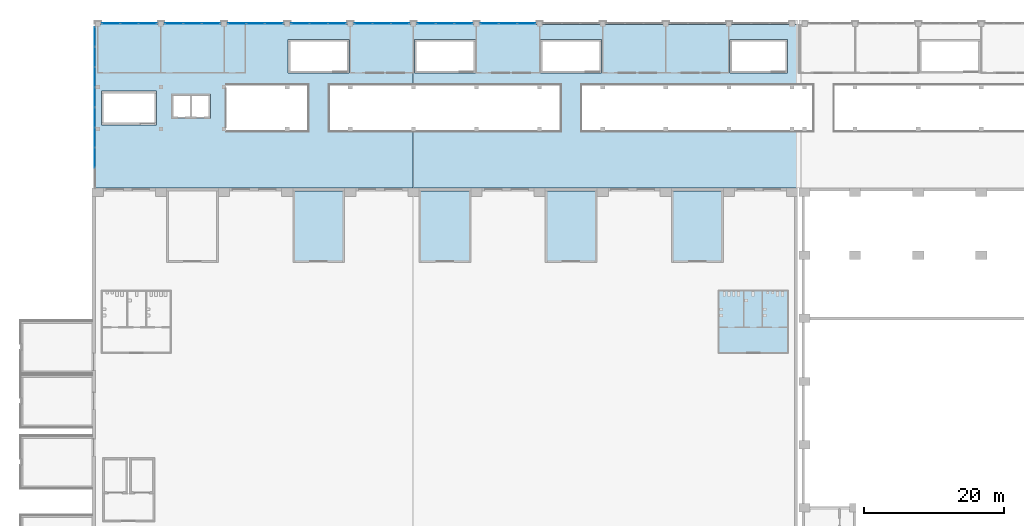
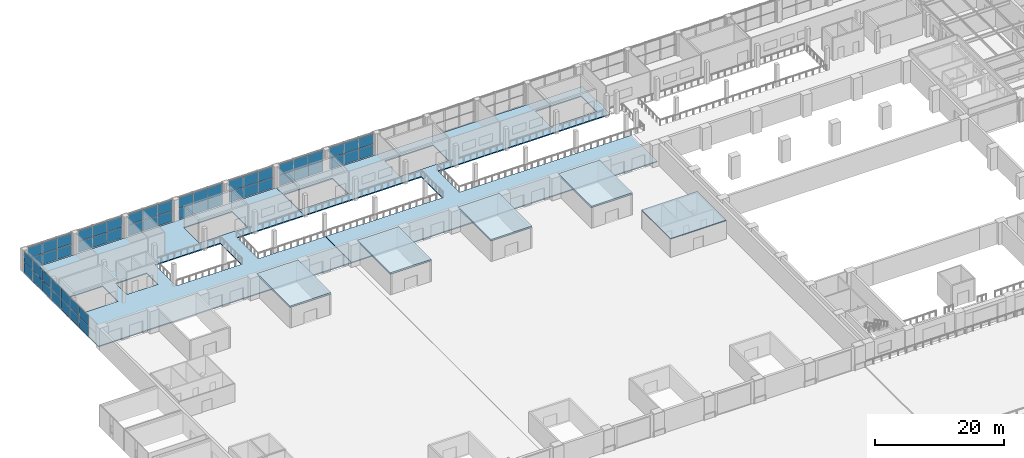
# One storey, part 11 of 39: 56 plates, 7 slabs, 8 elements without a shape of their own.
"""IFC4 building model written with IfcOpenShell, lengths in metres."""

from ifc_helpers import new_model, si_unit, direction, frame, origin, origin_2d, place, context, subcontext, project, spatial, polyline, rectangle, outline, extrude, material, layer, layer_set, type_object, element, aggregate, save


model = new_model("IFC4")

# Units and contexts
model_context = context("Model", 3, precision=1e-05, world=origin(), true_north=direction((0.0, 1.0)))
body_context = subcontext(model_context, "Body", "Model", "MODEL_VIEW")
ifc_project = project(units=[si_unit("LENGTHUNIT", "METRE"), si_unit("AREAUNIT", "SQUARE_METRE"), si_unit("VOLUMEUNIT", "CUBIC_METRE"), si_unit("PLANEANGLEUNIT", "RADIAN"), si_unit("MASSUNIT", "GRAM", prefix="KILO")], contexts=[model_context])

# Site, building, storey
site_placement = place(None, origin())
site = spatial("IfcSite", under=ifc_project, at=site_placement, CompositionType="ELEMENT")
building_placement = place(site_placement, origin())
building = spatial("IfcBuilding", under=site, at=building_placement, Name="Aravalli Gate Trade Fair Centre", CompositionType="ELEMENT")
storey_placement = place(building_placement, frame((0.0, 0.0, 15.0)))
storey = spatial("IfcBuildingStorey", under=building, at=storey_placement, Name="L03", CompositionType="ELEMENT", Elevation=15.0)

# Slabs
ifc_material_1 = material(Name="Concrete M40", Category="concrete")
ifc_layer_1 = layer(ifc_material_1, 0.199951171875)
ifc_layer_set_1 = layer_set([ifc_layer_1], Name="Concrete M40")
slab_type_1 = type_object("IfcSlabType", Name="Concourse gallery slab 200", PredefinedType="FLOOR", material=ifc_layer_set_1)
slab_1_placement = place(storey_placement, frame((0.0, 0.0, -0.199951171875)))
element("IfcSlab", 1, at=slab_1_placement, inside=storey, type_object=slab_type_1, Name="Concourse gallery slab L03 1", PredefinedType="FLOOR", context=body_context, shape_type="SweptSolid", body=[
    extrude(outline(polyline([(50.97998046875, 132.919921875), (5.699951171875, 132.919921875), (5.699951171875, 109.60009765625), (50.97998046875, 109.60009765625), (50.97998046875, 117.699951171875), (39.0, 117.699951171875), (39.0, 124.300048828125), (50.97998046875, 124.300048828125), (50.97998046875, 132.919921875)]), holes=[polyline([(24.300048828125, 124.300048828125), (36.0, 124.300048828125), (36.0, 117.699951171875), (24.300048828125, 117.699951171875), (24.300048828125, 124.300048828125)]), polyline([(6.5, 118.60009765625), (6.5, 123.39990234375), (14.39990234375, 123.39990234375), (14.39990234375, 118.60009765625), (6.5, 118.60009765625)]), polyline([(16.5, 119.5), (16.5, 123.0), (22.050048828125, 123.0), (22.050048828125, 119.5), (16.5, 119.5)]), polyline([(33.14990234375, 126.0), (33.14990234375, 130.800048828125), (41.85009765625, 130.800048828125), (41.85009765625, 126.0), (33.14990234375, 126.0)])]), origin(), (0.0, 0.0, 1.0), 0.199951171875),
])
slab_2_placement = place(storey_placement, frame((0.0, 0.0, -0.199951171875)))
element("IfcSlab", 2, at=slab_2_placement, inside=storey, type_object=slab_type_1, Name="Concourse gallery slab L03 2", PredefinedType="FLOOR", context=body_context, shape_type="SweptSolid", body=[
    extrude(outline(polyline([(105.800048828125, 132.919921875), (51.02001953125, 132.919921875), (51.02001953125, 124.300048828125), (72.0, 124.300048828125), (72.0, 117.699951171875), (51.02001953125, 117.699951171875), (51.02001953125, 109.60009765625), (105.800048828125, 109.60009765625), (105.800048828125, 117.699951171875), (75.0, 117.699951171875), (75.0, 124.300048828125), (105.800048828125, 124.300048828125), (105.800048828125, 132.919921875)]), holes=[polyline([(51.14990234375, 126.0), (51.14990234375, 130.800048828125), (59.85009765625, 130.800048828125), (59.85009765625, 126.0), (51.14990234375, 126.0)]), polyline([(69.14990234375, 126.0), (69.14990234375, 130.800048828125), (77.85009765625, 130.800048828125), (77.85009765625, 126.0), (69.14990234375, 126.0)]), polyline([(96.14990234375, 130.800048828125), (104.35009765625, 130.800048828125), (104.35009765625, 126.0), (96.14990234375, 126.0), (96.14990234375, 130.800048828125)])]), origin(), (0.0, 0.0, 1.0), 0.199951171875),
])

# Curtain wall, plates
ifc_material_2 = material(Name="Aluminium and glass", Category="aluminium")
curtain_wall_type = type_object("IfcCurtainWallType", Name="Curtain wall 3000 module, tall", PredefinedType="NOTDEFINED", material=ifc_material_2)
curtain_wall_1_placement = place(storey_placement, origin())
curtain_wall_1 = element("IfcCurtainWall", 3, at=curtain_wall_1_placement, inside=storey, type_object=curtain_wall_type, Name="Curtain wall north bay 1 L03", PredefinedType="NOTDEFINED")
ifc_material_3 = material(Name="Glass, double glazed", Category="glass")
ifc_layer_2 = layer(ifc_material_3, 0.028076171875)
ifc_layer_set_2 = layer_set([ifc_layer_2], Name="Glass, double glazed")
plate_type = type_object("IfcPlateType", Name="Curtain wall panel, double glazed 28", PredefinedType="CURTAIN_PANEL", material=ifc_layer_set_2)
plate_1_placement = place(storey_placement, frame((7.881591796875, 133.044921875, 0.06005859375), z_axis=(0.0, 0.0, 1.0), x_axis=(1.0, 0.0, 0.0)))
plate_1 = element("IfcPlate", 4, at=plate_1_placement, type_object=plate_type, Name="CW3 panel 1.1", PredefinedType="CURTAIN_PANEL", context=body_context, shape_type="SweptSolid", body=[
    extrude(rectangle(XDim=2.543212890625, YDim=0.028076171875, at=origin_2d()), origin(), (0.0, 0.0, 1.0), 2.010009765625),
])
plate_2_placement = place(storey_placement, frame((7.881591796875, 133.044921875, 2.1298828125), z_axis=(0.0, 0.0, 1.0), x_axis=(1.0, 0.0, 0.0)))
plate_2 = element("IfcPlate", 5, at=plate_2_placement, type_object=plate_type, Name="CW3 panel 1.2", PredefinedType="CURTAIN_PANEL", context=body_context, shape_type="SweptSolid", body=[
    extrude(rectangle(XDim=2.543212890625, YDim=0.028076171875, at=origin_2d()), origin(), (0.0, 0.0, 1.0), 2.010009765625),
])
plate_3_placement = place(storey_placement, frame((10.5, 133.044921875, 0.06005859375), z_axis=(0.0, 0.0, 1.0), x_axis=(1.0, 0.0, 0.0)))
plate_3 = element("IfcPlate", 6, at=plate_3_placement, type_object=plate_type, Name="CW3 panel 2.1", PredefinedType="CURTAIN_PANEL", context=body_context, shape_type="SweptSolid", body=[
    extrude(rectangle(XDim=2.5732421875, YDim=0.028076171875, at=origin_2d()), origin(), (0.0, 0.0, 1.0), 2.010009765625),
])
plate_4_placement = place(storey_placement, frame((10.5, 133.044921875, 2.1298828125), z_axis=(0.0, 0.0, 1.0), x_axis=(1.0, 0.0, 0.0)))
plate_4 = element("IfcPlate", 7, at=plate_4_placement, type_object=plate_type, Name="CW3 panel 2.2", PredefinedType="CURTAIN_PANEL", context=body_context, shape_type="SweptSolid", body=[
    extrude(rectangle(XDim=2.5732421875, YDim=0.028076171875, at=origin_2d()), origin(), (0.0, 0.0, 1.0), 2.010009765625),
])
plate_5_placement = place(storey_placement, frame((13.118408203125, 133.044921875, 0.06005859375), z_axis=(0.0, 0.0, 1.0), x_axis=(1.0, 0.0, 0.0)))
plate_5 = element("IfcPlate", 8, at=plate_5_placement, type_object=plate_type, Name="CW3 panel 3.1", PredefinedType="CURTAIN_PANEL", context=body_context, shape_type="SweptSolid", body=[
    extrude(rectangle(XDim=2.543212890625, YDim=0.028076171875, at=origin_2d()), origin(), (0.0, 0.0, 1.0), 2.010009765625),
])
plate_6_placement = place(storey_placement, frame((13.118408203125, 133.044921875, 2.1298828125), z_axis=(0.0, 0.0, 1.0), x_axis=(1.0, 0.0, 0.0)))
plate_6 = element("IfcPlate", 9, at=plate_6_placement, type_object=plate_type, Name="CW3 panel 3.2", PredefinedType="CURTAIN_PANEL", context=body_context, shape_type="SweptSolid", body=[
    extrude(rectangle(XDim=2.543212890625, YDim=0.028076171875, at=origin_2d()), origin(), (0.0, 0.0, 1.0), 2.010009765625),
])
aggregate(curtain_wall_1, [plate_1, plate_2, plate_3, plate_4, plate_5, plate_6])

curtain_wall_2_placement = place(storey_placement, origin())
curtain_wall_2 = element("IfcCurtainWall", 10, at=curtain_wall_2_placement, inside=storey, type_object=curtain_wall_type, Name="Curtain wall north bay 2 L03", PredefinedType="NOTDEFINED")
plate_7_placement = place(storey_placement, frame((16.881591796875, 133.044921875, 0.06005859375), z_axis=(0.0, 0.0, 1.0), x_axis=(1.0, 0.0, 0.0)))
plate_7 = element("IfcPlate", 11, at=plate_7_placement, type_object=plate_type, Name="CW3 panel 1.1", PredefinedType="CURTAIN_PANEL", context=body_context, shape_type="SweptSolid", body=[
    extrude(rectangle(XDim=2.543212890625, YDim=0.028076171875, at=origin_2d()), origin(), (0.0, 0.0, 1.0), 2.010009765625),
])
plate_8_placement = place(storey_placement, frame((16.881591796875, 133.044921875, 2.1298828125), z_axis=(0.0, 0.0, 1.0), x_axis=(1.0, 0.0, 0.0)))
plate_8 = element("IfcPlate", 12, at=plate_8_placement, type_object=plate_type, Name="CW3 panel 1.2", PredefinedType="CURTAIN_PANEL", context=body_context, shape_type="SweptSolid", body=[
    extrude(rectangle(XDim=2.543212890625, YDim=0.028076171875, at=origin_2d()), origin(), (0.0, 0.0, 1.0), 2.010009765625),
])
plate_9_placement = place(storey_placement, frame((19.5, 133.044921875, 0.06005859375), z_axis=(0.0, 0.0, 1.0), x_axis=(1.0, 0.0, 0.0)))
plate_9 = element("IfcPlate", 13, at=plate_9_placement, type_object=plate_type, Name="CW3 panel 2.1", PredefinedType="CURTAIN_PANEL", context=body_context, shape_type="SweptSolid", body=[
    extrude(rectangle(XDim=2.5732421875, YDim=0.028076171875, at=origin_2d()), origin(), (0.0, 0.0, 1.0), 2.010009765625),
])
plate_10_placement = place(storey_placement, frame((19.5, 133.044921875, 2.1298828125), z_axis=(0.0, 0.0, 1.0), x_axis=(1.0, 0.0, 0.0)))
plate_10 = element("IfcPlate", 14, at=plate_10_placement, type_object=plate_type, Name="CW3 panel 2.2", PredefinedType="CURTAIN_PANEL", context=body_context, shape_type="SweptSolid", body=[
    extrude(rectangle(XDim=2.5732421875, YDim=0.028076171875, at=origin_2d()), origin(), (0.0, 0.0, 1.0), 2.010009765625),
])
plate_11_placement = place(storey_placement, frame((22.118408203125, 133.044921875, 0.06005859375), z_axis=(0.0, 0.0, 1.0), x_axis=(1.0, 0.0, 0.0)))
plate_11 = element("IfcPlate", 15, at=plate_11_placement, type_object=plate_type, Name="CW3 panel 3.1", PredefinedType="CURTAIN_PANEL", context=body_context, shape_type="SweptSolid", body=[
    extrude(rectangle(XDim=2.543212890625, YDim=0.028076171875, at=origin_2d()), origin(), (0.0, 0.0, 1.0), 2.010009765625),
])
plate_12_placement = place(storey_placement, frame((22.118408203125, 133.044921875, 2.1298828125), z_axis=(0.0, 0.0, 1.0), x_axis=(1.0, 0.0, 0.0)))
plate_12 = element("IfcPlate", 16, at=plate_12_placement, type_object=plate_type, Name="CW3 panel 3.2", PredefinedType="CURTAIN_PANEL", context=body_context, shape_type="SweptSolid", body=[
    extrude(rectangle(XDim=2.543212890625, YDim=0.028076171875, at=origin_2d()), origin(), (0.0, 0.0, 1.0), 2.010009765625),
])
aggregate(curtain_wall_2, [plate_7, plate_8, plate_9, plate_10, plate_11, plate_12])

curtain_wall_3_placement = place(storey_placement, origin())
curtain_wall_3 = element("IfcCurtainWall", 17, at=curtain_wall_3_placement, inside=storey, type_object=curtain_wall_type, Name="Curtain wall north bay 3 L03", PredefinedType="NOTDEFINED")
plate_13_placement = place(storey_placement, frame((25.881591796875, 133.044921875, 0.06005859375), z_axis=(0.0, 0.0, 1.0), x_axis=(1.0, 0.0, 0.0)))
plate_13 = element("IfcPlate", 18, at=plate_13_placement, type_object=plate_type, Name="CW3 panel 1.1", PredefinedType="CURTAIN_PANEL", context=body_context, shape_type="SweptSolid", body=[
    extrude(rectangle(XDim=2.543212890625, YDim=0.028076171875, at=origin_2d()), origin(), (0.0, 0.0, 1.0), 2.010009765625),
])
plate_14_placement = place(storey_placement, frame((25.881591796875, 133.044921875, 2.1298828125), z_axis=(0.0, 0.0, 1.0), x_axis=(1.0, 0.0, 0.0)))
plate_14 = element("IfcPlate", 19, at=plate_14_placement, type_object=plate_type, Name="CW3 panel 1.2", PredefinedType="CURTAIN_PANEL", context=body_context, shape_type="SweptSolid", body=[
    extrude(rectangle(XDim=2.543212890625, YDim=0.028076171875, at=origin_2d()), origin(), (0.0, 0.0, 1.0), 2.010009765625),
])
plate_15_placement = place(storey_placement, frame((28.5, 133.044921875, 0.06005859375), z_axis=(0.0, 0.0, 1.0), x_axis=(1.0, 0.0, 0.0)))
plate_15 = element("IfcPlate", 20, at=plate_15_placement, type_object=plate_type, Name="CW3 panel 2.1", PredefinedType="CURTAIN_PANEL", context=body_context, shape_type="SweptSolid", body=[
    extrude(rectangle(XDim=2.5732421875, YDim=0.028076171875, at=origin_2d()), origin(), (0.0, 0.0, 1.0), 2.010009765625),
])
plate_16_placement = place(storey_placement, frame((28.5, 133.044921875, 2.1298828125), z_axis=(0.0, 0.0, 1.0), x_axis=(1.0, 0.0, 0.0)))
plate_16 = element("IfcPlate", 21, at=plate_16_placement, type_object=plate_type, Name="CW3 panel 2.2", PredefinedType="CURTAIN_PANEL", context=body_context, shape_type="SweptSolid", body=[
    extrude(rectangle(XDim=2.5732421875, YDim=0.028076171875, at=origin_2d()), origin(), (0.0, 0.0, 1.0), 2.010009765625),
])
plate_17_placement = place(storey_placement, frame((31.118408203125, 133.044921875, 0.06005859375), z_axis=(0.0, 0.0, 1.0), x_axis=(1.0, 0.0, 0.0)))
plate_17 = element("IfcPlate", 22, at=plate_17_placement, type_object=plate_type, Name="CW3 panel 3.1", PredefinedType="CURTAIN_PANEL", context=body_context, shape_type="SweptSolid", body=[
    extrude(rectangle(XDim=2.543212890625, YDim=0.028076171875, at=origin_2d()), origin(), (0.0, 0.0, 1.0), 2.010009765625),
])
plate_18_placement = place(storey_placement, frame((31.118408203125, 133.044921875, 2.1298828125), z_axis=(0.0, 0.0, 1.0), x_axis=(1.0, 0.0, 0.0)))
plate_18 = element("IfcPlate", 23, at=plate_18_placement, type_object=plate_type, Name="CW3 panel 3.2", PredefinedType="CURTAIN_PANEL", context=body_context, shape_type="SweptSolid", body=[
    extrude(rectangle(XDim=2.543212890625, YDim=0.028076171875, at=origin_2d()), origin(), (0.0, 0.0, 1.0), 2.010009765625),
])
aggregate(curtain_wall_3, [plate_13, plate_14, plate_15, plate_16, plate_17, plate_18])

curtain_wall_4_placement = place(storey_placement, origin())
curtain_wall_4 = element("IfcCurtainWall", 24, at=curtain_wall_4_placement, inside=storey, type_object=curtain_wall_type, Name="Curtain wall north bay 4 L03", PredefinedType="NOTDEFINED")
plate_19_placement = place(storey_placement, frame((34.881591796875, 133.044921875, 0.06005859375), z_axis=(0.0, 0.0, 1.0), x_axis=(1.0, 0.0, 0.0)))
plate_19 = element("IfcPlate", 25, at=plate_19_placement, type_object=plate_type, Name="CW3 panel 1.1", PredefinedType="CURTAIN_PANEL", context=body_context, shape_type="SweptSolid", body=[
    extrude(rectangle(XDim=2.543212890625, YDim=0.028076171875, at=origin_2d()), origin(), (0.0, 0.0, 1.0), 2.010009765625),
])
plate_20_placement = place(storey_placement, frame((34.881591796875, 133.044921875, 2.1298828125), z_axis=(0.0, 0.0, 1.0), x_axis=(1.0, 0.0, 0.0)))
plate_20 = element("IfcPlate", 26, at=plate_20_placement, type_object=plate_type, Name="CW3 panel 1.2", PredefinedType="CURTAIN_PANEL", context=body_context, shape_type="SweptSolid", body=[
    extrude(rectangle(XDim=2.543212890625, YDim=0.028076171875, at=origin_2d()), origin(), (0.0, 0.0, 1.0), 2.010009765625),
])
plate_21_placement = place(storey_placement, frame((37.5, 133.044921875, 0.06005859375), z_axis=(0.0, 0.0, 1.0), x_axis=(1.0, 0.0, 0.0)))
plate_21 = element("IfcPlate", 27, at=plate_21_placement, type_object=plate_type, Name="CW3 panel 2.1", PredefinedType="CURTAIN_PANEL", context=body_context, shape_type="SweptSolid", body=[
    extrude(rectangle(XDim=2.5732421875, YDim=0.028076171875, at=origin_2d()), origin(), (0.0, 0.0, 1.0), 2.010009765625),
])
plate_22_placement = place(storey_placement, frame((37.5, 133.044921875, 2.1298828125), z_axis=(0.0, 0.0, 1.0), x_axis=(1.0, 0.0, 0.0)))
plate_22 = element("IfcPlate", 28, at=plate_22_placement, type_object=plate_type, Name="CW3 panel 2.2", PredefinedType="CURTAIN_PANEL", context=body_context, shape_type="SweptSolid", body=[
    extrude(rectangle(XDim=2.5732421875, YDim=0.028076171875, at=origin_2d()), origin(), (0.0, 0.0, 1.0), 2.010009765625),
])
plate_23_placement = place(storey_placement, frame((40.118408203125, 133.044921875, 0.06005859375), z_axis=(0.0, 0.0, 1.0), x_axis=(1.0, 0.0, 0.0)))
plate_23 = element("IfcPlate", 29, at=plate_23_placement, type_object=plate_type, Name="CW3 panel 3.1", PredefinedType="CURTAIN_PANEL", context=body_context, shape_type="SweptSolid", body=[
    extrude(rectangle(XDim=2.543212890625, YDim=0.028076171875, at=origin_2d()), origin(), (0.0, 0.0, 1.0), 2.010009765625),
])
plate_24_placement = place(storey_placement, frame((40.118408203125, 133.044921875, 2.1298828125), z_axis=(0.0, 0.0, 1.0), x_axis=(1.0, 0.0, 0.0)))
plate_24 = element("IfcPlate", 30, at=plate_24_placement, type_object=plate_type, Name="CW3 panel 3.2", PredefinedType="CURTAIN_PANEL", context=body_context, shape_type="SweptSolid", body=[
    extrude(rectangle(XDim=2.543212890625, YDim=0.028076171875, at=origin_2d()), origin(), (0.0, 0.0, 1.0), 2.010009765625),
])
aggregate(curtain_wall_4, [plate_19, plate_20, plate_21, plate_22, plate_23, plate_24])

curtain_wall_5_placement = place(storey_placement, origin())
curtain_wall_5 = element("IfcCurtainWall", 31, at=curtain_wall_5_placement, inside=storey, type_object=curtain_wall_type, Name="Curtain wall north bay 5 L03", PredefinedType="NOTDEFINED")
plate_25_placement = place(storey_placement, frame((43.881591796875, 133.044921875, 0.06005859375), z_axis=(0.0, 0.0, 1.0), x_axis=(1.0, 0.0, 0.0)))
plate_25 = element("IfcPlate", 32, at=plate_25_placement, type_object=plate_type, Name="CW3 panel 1.1", PredefinedType="CURTAIN_PANEL", context=body_context, shape_type="SweptSolid", body=[
    extrude(rectangle(XDim=2.543212890625, YDim=0.028076171875, at=origin_2d()), origin(), (0.0, 0.0, 1.0), 2.010009765625),
])
plate_26_placement = place(storey_placement, frame((43.881591796875, 133.044921875, 2.1298828125), z_axis=(0.0, 0.0, 1.0), x_axis=(1.0, 0.0, 0.0)))
plate_26 = element("IfcPlate", 33, at=plate_26_placement, type_object=plate_type, Name="CW3 panel 1.2", PredefinedType="CURTAIN_PANEL", context=body_context, shape_type="SweptSolid", body=[
    extrude(rectangle(XDim=2.543212890625, YDim=0.028076171875, at=origin_2d()), origin(), (0.0, 0.0, 1.0), 2.010009765625),
])
plate_27_placement = place(storey_placement, frame((46.5, 133.044921875, 0.06005859375), z_axis=(0.0, 0.0, 1.0), x_axis=(1.0, 0.0, 0.0)))
plate_27 = element("IfcPlate", 34, at=plate_27_placement, type_object=plate_type, Name="CW3 panel 2.1", PredefinedType="CURTAIN_PANEL", context=body_context, shape_type="SweptSolid", body=[
    extrude(rectangle(XDim=2.5732421875, YDim=0.028076171875, at=origin_2d()), origin(), (0.0, 0.0, 1.0), 2.010009765625),
])
plate_28_placement = place(storey_placement, frame((46.5, 133.044921875, 2.1298828125), z_axis=(0.0, 0.0, 1.0), x_axis=(1.0, 0.0, 0.0)))
plate_28 = element("IfcPlate", 35, at=plate_28_placement, type_object=plate_type, Name="CW3 panel 2.2", PredefinedType="CURTAIN_PANEL", context=body_context, shape_type="SweptSolid", body=[
    extrude(rectangle(XDim=2.5732421875, YDim=0.028076171875, at=origin_2d()), origin(), (0.0, 0.0, 1.0), 2.010009765625),
])
plate_29_placement = place(storey_placement, frame((49.118408203125, 133.044921875, 0.06005859375), z_axis=(0.0, 0.0, 1.0), x_axis=(1.0, 0.0, 0.0)))
plate_29 = element("IfcPlate", 36, at=plate_29_placement, type_object=plate_type, Name="CW3 panel 3.1", PredefinedType="CURTAIN_PANEL", context=body_context, shape_type="SweptSolid", body=[
    extrude(rectangle(XDim=2.543212890625, YDim=0.028076171875, at=origin_2d()), origin(), (0.0, 0.0, 1.0), 2.010009765625),
])
plate_30_placement = place(storey_placement, frame((49.118408203125, 133.044921875, 2.1298828125), z_axis=(0.0, 0.0, 1.0), x_axis=(1.0, 0.0, 0.0)))
plate_30 = element("IfcPlate", 37, at=plate_30_placement, type_object=plate_type, Name="CW3 panel 3.2", PredefinedType="CURTAIN_PANEL", context=body_context, shape_type="SweptSolid", body=[
    extrude(rectangle(XDim=2.543212890625, YDim=0.028076171875, at=origin_2d()), origin(), (0.0, 0.0, 1.0), 2.010009765625),
])
aggregate(curtain_wall_5, [plate_25, plate_26, plate_27, plate_28, plate_29, plate_30])

curtain_wall_6_placement = place(storey_placement, origin())
curtain_wall_6 = element("IfcCurtainWall", 38, at=curtain_wall_6_placement, inside=storey, type_object=curtain_wall_type, Name="Curtain wall north bay 6 L03", PredefinedType="NOTDEFINED")
plate_31_placement = place(storey_placement, frame((52.881591796875, 133.044921875, 0.06005859375), z_axis=(0.0, 0.0, 1.0), x_axis=(1.0, 0.0, 0.0)))
plate_31 = element("IfcPlate", 39, at=plate_31_placement, type_object=plate_type, Name="CW3 panel 1.1", PredefinedType="CURTAIN_PANEL", context=body_context, shape_type="SweptSolid", body=[
    extrude(rectangle(XDim=2.543212890625, YDim=0.028076171875, at=origin_2d()), origin(), (0.0, 0.0, 1.0), 2.010009765625),
])
plate_32_placement = place(storey_placement, frame((52.881591796875, 133.044921875, 2.1298828125), z_axis=(0.0, 0.0, 1.0), x_axis=(1.0, 0.0, 0.0)))
plate_32 = element("IfcPlate", 40, at=plate_32_placement, type_object=plate_type, Name="CW3 panel 1.2", PredefinedType="CURTAIN_PANEL", context=body_context, shape_type="SweptSolid", body=[
    extrude(rectangle(XDim=2.543212890625, YDim=0.028076171875, at=origin_2d()), origin(), (0.0, 0.0, 1.0), 2.010009765625),
])
plate_33_placement = place(storey_placement, frame((55.5, 133.044921875, 0.06005859375), z_axis=(0.0, 0.0, 1.0), x_axis=(1.0, 0.0, 0.0)))
plate_33 = element("IfcPlate", 41, at=plate_33_placement, type_object=plate_type, Name="CW3 panel 2.1", PredefinedType="CURTAIN_PANEL", context=body_context, shape_type="SweptSolid", body=[
    extrude(rectangle(XDim=2.5732421875, YDim=0.028076171875, at=origin_2d()), origin(), (0.0, 0.0, 1.0), 2.010009765625),
])
plate_34_placement = place(storey_placement, frame((55.5, 133.044921875, 2.1298828125), z_axis=(0.0, 0.0, 1.0), x_axis=(1.0, 0.0, 0.0)))
plate_34 = element("IfcPlate", 42, at=plate_34_placement, type_object=plate_type, Name="CW3 panel 2.2", PredefinedType="CURTAIN_PANEL", context=body_context, shape_type="SweptSolid", body=[
    extrude(rectangle(XDim=2.5732421875, YDim=0.028076171875, at=origin_2d()), origin(), (0.0, 0.0, 1.0), 2.010009765625),
])
plate_35_placement = place(storey_placement, frame((58.118408203125, 133.044921875, 0.06005859375), z_axis=(0.0, 0.0, 1.0), x_axis=(1.0, 0.0, 0.0)))
plate_35 = element("IfcPlate", 43, at=plate_35_placement, type_object=plate_type, Name="CW3 panel 3.1", PredefinedType="CURTAIN_PANEL", context=body_context, shape_type="SweptSolid", body=[
    extrude(rectangle(XDim=2.543212890625, YDim=0.028076171875, at=origin_2d()), origin(), (0.0, 0.0, 1.0), 2.010009765625),
])
plate_36_placement = place(storey_placement, frame((58.118408203125, 133.044921875, 2.1298828125), z_axis=(0.0, 0.0, 1.0), x_axis=(1.0, 0.0, 0.0)))
plate_36 = element("IfcPlate", 44, at=plate_36_placement, type_object=plate_type, Name="CW3 panel 3.2", PredefinedType="CURTAIN_PANEL", context=body_context, shape_type="SweptSolid", body=[
    extrude(rectangle(XDim=2.543212890625, YDim=0.028076171875, at=origin_2d()), origin(), (0.0, 0.0, 1.0), 2.010009765625),
])
aggregate(curtain_wall_6, [plate_31, plate_32, plate_33, plate_34, plate_35, plate_36])

curtain_wall_7_placement = place(storey_placement, origin())
curtain_wall_7 = element("IfcCurtainWall", 45, at=curtain_wall_7_placement, inside=storey, type_object=curtain_wall_type, Name="Curtain wall north bay 7 L03", PredefinedType="NOTDEFINED")
plate_37_placement = place(storey_placement, frame((61.881591796875, 133.044921875, 0.06005859375), z_axis=(0.0, 0.0, 1.0), x_axis=(1.0, 0.0, 0.0)))
plate_37 = element("IfcPlate", 46, at=plate_37_placement, type_object=plate_type, Name="CW3 panel 1.1", PredefinedType="CURTAIN_PANEL", context=body_context, shape_type="SweptSolid", body=[
    extrude(rectangle(XDim=2.543212890625, YDim=0.028076171875, at=origin_2d()), origin(), (0.0, 0.0, 1.0), 2.010009765625),
])
plate_38_placement = place(storey_placement, frame((61.881591796875, 133.044921875, 2.1298828125), z_axis=(0.0, 0.0, 1.0), x_axis=(1.0, 0.0, 0.0)))
plate_38 = element("IfcPlate", 47, at=plate_38_placement, type_object=plate_type, Name="CW3 panel 1.2", PredefinedType="CURTAIN_PANEL", context=body_context, shape_type="SweptSolid", body=[
    extrude(rectangle(XDim=2.543212890625, YDim=0.028076171875, at=origin_2d()), origin(), (0.0, 0.0, 1.0), 2.010009765625),
])
plate_39_placement = place(storey_placement, frame((64.5, 133.044921875, 0.06005859375), z_axis=(0.0, 0.0, 1.0), x_axis=(1.0, 0.0, 0.0)))
plate_39 = element("IfcPlate", 48, at=plate_39_placement, type_object=plate_type, Name="CW3 panel 2.1", PredefinedType="CURTAIN_PANEL", context=body_context, shape_type="SweptSolid", body=[
    extrude(rectangle(XDim=2.5732421875, YDim=0.028076171875, at=origin_2d()), origin(), (0.0, 0.0, 1.0), 2.010009765625),
])
plate_40_placement = place(storey_placement, frame((64.5, 133.044921875, 2.1298828125), z_axis=(0.0, 0.0, 1.0), x_axis=(1.0, 0.0, 0.0)))
plate_40 = element("IfcPlate", 49, at=plate_40_placement, type_object=plate_type, Name="CW3 panel 2.2", PredefinedType="CURTAIN_PANEL", context=body_context, shape_type="SweptSolid", body=[
    extrude(rectangle(XDim=2.5732421875, YDim=0.028076171875, at=origin_2d()), origin(), (0.0, 0.0, 1.0), 2.010009765625),
])
plate_41_placement = place(storey_placement, frame((67.118408203125, 133.044921875, 0.06005859375), z_axis=(0.0, 0.0, 1.0), x_axis=(1.0, 0.0, 0.0)))
plate_41 = element("IfcPlate", 50, at=plate_41_placement, type_object=plate_type, Name="CW3 panel 3.1", PredefinedType="CURTAIN_PANEL", context=body_context, shape_type="SweptSolid", body=[
    extrude(rectangle(XDim=2.543212890625, YDim=0.028076171875, at=origin_2d()), origin(), (0.0, 0.0, 1.0), 2.010009765625),
])
plate_42_placement = place(storey_placement, frame((67.118408203125, 133.044921875, 2.1298828125), z_axis=(0.0, 0.0, 1.0), x_axis=(1.0, 0.0, 0.0)))
plate_42 = element("IfcPlate", 51, at=plate_42_placement, type_object=plate_type, Name="CW3 panel 3.2", PredefinedType="CURTAIN_PANEL", context=body_context, shape_type="SweptSolid", body=[
    extrude(rectangle(XDim=2.543212890625, YDim=0.028076171875, at=origin_2d()), origin(), (0.0, 0.0, 1.0), 2.010009765625),
])
aggregate(curtain_wall_7, [plate_37, plate_38, plate_39, plate_40, plate_41, plate_42])

curtain_wall_8_placement = place(storey_placement, origin())
curtain_wall_8 = element("IfcCurtainWall", 52, at=curtain_wall_8_placement, inside=storey, type_object=curtain_wall_type, Name="Curtain wall west end L03", PredefinedType="NOTDEFINED")
plate_43_placement = place(storey_placement, frame((5.574951171875, 113.91259765625, 0.06005859375), z_axis=(0.0, 0.0, 1.0), x_axis=(0.0, 1.0, 0.0)))
plate_43 = element("IfcPlate", 53, at=plate_43_placement, type_object=plate_type, Name="CW3 panel 2.1", PredefinedType="CURTAIN_PANEL", context=body_context, shape_type="SweptSolid", body=[
    extrude(rectangle(XDim=2.81494140625, YDim=0.028076171875, at=origin_2d()), origin(), (0.0, 0.0, 1.0), 2.010009765625),
])
plate_44_placement = place(storey_placement, frame((5.574951171875, 113.91259765625, 2.1298828125), z_axis=(0.0, 0.0, 1.0), x_axis=(0.0, 1.0, 0.0)))
plate_44 = element("IfcPlate", 54, at=plate_44_placement, type_object=plate_type, Name="CW3 panel 2.2", PredefinedType="CURTAIN_PANEL", context=body_context, shape_type="SweptSolid", body=[
    extrude(rectangle(XDim=2.81494140625, YDim=0.028076171875, at=origin_2d()), origin(), (0.0, 0.0, 1.0), 2.010009765625),
])
plate_45_placement = place(storey_placement, frame((5.574951171875, 116.78759765625, 0.06005859375), z_axis=(0.0, 0.0, 1.0), x_axis=(0.0, 1.0, 0.0)))
plate_45 = element("IfcPlate", 55, at=plate_45_placement, type_object=plate_type, Name="CW3 panel 3.1", PredefinedType="CURTAIN_PANEL", context=body_context, shape_type="SweptSolid", body=[
    extrude(rectangle(XDim=2.81494140625, YDim=0.028076171875, at=origin_2d()), origin(), (0.0, 0.0, 1.0), 2.010009765625),
])
plate_46_placement = place(storey_placement, frame((5.574951171875, 116.78759765625, 2.1298828125), z_axis=(0.0, 0.0, 1.0), x_axis=(0.0, 1.0, 0.0)))
plate_46 = element("IfcPlate", 56, at=plate_46_placement, type_object=plate_type, Name="CW3 panel 3.2", PredefinedType="CURTAIN_PANEL", context=body_context, shape_type="SweptSolid", body=[
    extrude(rectangle(XDim=2.81494140625, YDim=0.028076171875, at=origin_2d()), origin(), (0.0, 0.0, 1.0), 2.010009765625),
])
plate_47_placement = place(storey_placement, frame((5.574951171875, 119.66259765625, 0.06005859375), z_axis=(0.0, 0.0, 1.0), x_axis=(0.0, 1.0, 0.0)))
plate_47 = element("IfcPlate", 57, at=plate_47_placement, type_object=plate_type, Name="CW3 panel 4.1", PredefinedType="CURTAIN_PANEL", context=body_context, shape_type="SweptSolid", body=[
    extrude(rectangle(XDim=2.81494140625, YDim=0.028076171875, at=origin_2d()), origin(), (0.0, 0.0, 1.0), 2.010009765625),
])
plate_48_placement = place(storey_placement, frame((5.574951171875, 119.66259765625, 2.1298828125), z_axis=(0.0, 0.0, 1.0), x_axis=(0.0, 1.0, 0.0)))
plate_48 = element("IfcPlate", 58, at=plate_48_placement, type_object=plate_type, Name="CW3 panel 4.2", PredefinedType="CURTAIN_PANEL", context=body_context, shape_type="SweptSolid", body=[
    extrude(rectangle(XDim=2.81494140625, YDim=0.028076171875, at=origin_2d()), origin(), (0.0, 0.0, 1.0), 2.010009765625),
])
plate_49_placement = place(storey_placement, frame((5.574951171875, 122.53759765625, 0.06005859375), z_axis=(0.0, 0.0, 1.0), x_axis=(0.0, 1.0, 0.0)))
plate_49 = element("IfcPlate", 59, at=plate_49_placement, type_object=plate_type, Name="CW3 panel 5.1", PredefinedType="CURTAIN_PANEL", context=body_context, shape_type="SweptSolid", body=[
    extrude(rectangle(XDim=2.81494140625, YDim=0.028076171875, at=origin_2d()), origin(), (0.0, 0.0, 1.0), 2.010009765625),
])
plate_50_placement = place(storey_placement, frame((5.574951171875, 122.53759765625, 2.1298828125), z_axis=(0.0, 0.0, 1.0), x_axis=(0.0, 1.0, 0.0)))
plate_50 = element("IfcPlate", 60, at=plate_50_placement, type_object=plate_type, Name="CW3 panel 5.2", PredefinedType="CURTAIN_PANEL", context=body_context, shape_type="SweptSolid", body=[
    extrude(rectangle(XDim=2.81494140625, YDim=0.028076171875, at=origin_2d()), origin(), (0.0, 0.0, 1.0), 2.010009765625),
])
plate_51_placement = place(storey_placement, frame((5.574951171875, 125.41259765625, 0.06005859375), z_axis=(0.0, 0.0, 1.0), x_axis=(0.0, 1.0, 0.0)))
plate_51 = element("IfcPlate", 61, at=plate_51_placement, type_object=plate_type, Name="CW3 panel 6.1", PredefinedType="CURTAIN_PANEL", context=body_context, shape_type="SweptSolid", body=[
    extrude(rectangle(XDim=2.81494140625, YDim=0.028076171875, at=origin_2d()), origin(), (0.0, 0.0, 1.0), 2.010009765625),
])
plate_52_placement = place(storey_placement, frame((5.574951171875, 125.41259765625, 2.1298828125), z_axis=(0.0, 0.0, 1.0), x_axis=(0.0, 1.0, 0.0)))
plate_52 = element("IfcPlate", 62, at=plate_52_placement, type_object=plate_type, Name="CW3 panel 6.2", PredefinedType="CURTAIN_PANEL", context=body_context, shape_type="SweptSolid", body=[
    extrude(rectangle(XDim=2.81494140625, YDim=0.028076171875, at=origin_2d()), origin(), (0.0, 0.0, 1.0), 2.010009765625),
])
plate_53_placement = place(storey_placement, frame((5.574951171875, 128.28759765625, 0.06005859375), z_axis=(0.0, 0.0, 1.0), x_axis=(0.0, 1.0, 0.0)))
plate_53 = element("IfcPlate", 63, at=plate_53_placement, type_object=plate_type, Name="CW3 panel 7.1", PredefinedType="CURTAIN_PANEL", context=body_context, shape_type="SweptSolid", body=[
    extrude(rectangle(XDim=2.81494140625, YDim=0.028076171875, at=origin_2d()), origin(), (0.0, 0.0, 1.0), 2.010009765625),
])
plate_54_placement = place(storey_placement, frame((5.574951171875, 128.28759765625, 2.1298828125), z_axis=(0.0, 0.0, 1.0), x_axis=(0.0, 1.0, 0.0)))
plate_54 = element("IfcPlate", 64, at=plate_54_placement, type_object=plate_type, Name="CW3 panel 7.2", PredefinedType="CURTAIN_PANEL", context=body_context, shape_type="SweptSolid", body=[
    extrude(rectangle(XDim=2.81494140625, YDim=0.028076171875, at=origin_2d()), origin(), (0.0, 0.0, 1.0), 2.010009765625),
])
plate_55_placement = place(storey_placement, frame((5.574951171875, 131.1474609375, 0.06005859375), z_axis=(0.0, 0.0, 1.0), x_axis=(0.0, 1.0, 0.0)))
plate_55 = element("IfcPlate", 65, at=plate_55_placement, type_object=plate_type, Name="CW3 panel 8.1", PredefinedType="CURTAIN_PANEL", context=body_context, shape_type="SweptSolid", body=[
    extrude(rectangle(XDim=2.784912109375, YDim=0.028076171875, at=origin_2d()), origin(), (0.0, 0.0, 1.0), 2.010009765625),
])
plate_56_placement = place(storey_placement, frame((5.574951171875, 131.1474609375, 2.1298828125), z_axis=(0.0, 0.0, 1.0), x_axis=(0.0, 1.0, 0.0)))
plate_56 = element("IfcPlate", 66, at=plate_56_placement, type_object=plate_type, Name="CW3 panel 8.2", PredefinedType="CURTAIN_PANEL", context=body_context, shape_type="SweptSolid", body=[
    extrude(rectangle(XDim=2.784912109375, YDim=0.028076171875, at=origin_2d()), origin(), (0.0, 0.0, 1.0), 2.010009765625),
])
aggregate(curtain_wall_8, [plate_43, plate_44, plate_45, plate_46, plate_47, plate_48, plate_49, plate_50, plate_51, plate_52, plate_53, plate_54, plate_55, plate_56])

# Slabs
ifc_layer_3 = layer(ifc_material_1, 0.300048828125)
ifc_layer_set_3 = layer_set([ifc_layer_3], Name="Concrete M40")
slab_type_2 = type_object("IfcSlabType", Name="Stair head-house roof RC 300", PredefinedType="ROOF", material=ifc_layer_set_3)
slab_3_placement = place(storey_placement, frame((0.0, 0.0, 3.89990234375)))
element("IfcSlab", 67, at=slab_3_placement, inside=storey, type_object=slab_type_2, Name="Stair tower N04 head-house roof", PredefinedType="ROOF", context=body_context, shape_type="SweptSolid", body=[
    extrude(outline(polyline([(33.800048828125, 109.14990234375), (41.199951171875, 109.14990234375), (41.199951171875, 98.949951171875), (33.800048828125, 98.949951171875), (33.800048828125, 109.14990234375)])), origin(), (0.0, 0.0, 1.0), 0.300048828125),
])
slab_4_placement = place(storey_placement, frame((0.0, 0.0, 3.89990234375)))
element("IfcSlab", 68, at=slab_4_placement, inside=storey, type_object=slab_type_2, Name="Stair tower N06 head-house roof", PredefinedType="ROOF", context=body_context, shape_type="SweptSolid", body=[
    extrude(outline(polyline([(51.800048828125, 109.14990234375), (59.199951171875, 109.14990234375), (59.199951171875, 98.949951171875), (51.800048828125, 98.949951171875), (51.800048828125, 109.14990234375)])), origin(), (0.0, 0.0, 1.0), 0.300048828125),
])
slab_5_placement = place(storey_placement, frame((0.0, 0.0, 3.89990234375)))
element("IfcSlab", 69, at=slab_5_placement, inside=storey, type_object=slab_type_2, Name="Stair tower N08 head-house roof", PredefinedType="ROOF", context=body_context, shape_type="SweptSolid", body=[
    extrude(outline(polyline([(69.800048828125, 109.14990234375), (77.199951171875, 109.14990234375), (77.199951171875, 98.949951171875), (69.800048828125, 98.949951171875), (69.800048828125, 109.14990234375)])), origin(), (0.0, 0.0, 1.0), 0.300048828125),
])
slab_6_placement = place(storey_placement, frame((0.0, 0.0, 3.89990234375)))
element("IfcSlab", 70, at=slab_6_placement, inside=storey, type_object=slab_type_2, Name="Stair tower N10 head-house roof", PredefinedType="ROOF", context=body_context, shape_type="SweptSolid", body=[
    extrude(outline(polyline([(87.800048828125, 109.14990234375), (95.199951171875, 109.14990234375), (95.199951171875, 98.949951171875), (87.800048828125, 98.949951171875), (87.800048828125, 109.14990234375)])), origin(), (0.0, 0.0, 1.0), 0.300048828125),
])
ifc_layer_4 = layer(ifc_material_1, 0.14990234375)
ifc_layer_set_4 = layer_set([ifc_layer_4], Name="Concrete M40")
slab_type_3 = type_object("IfcSlabType", Name="WC block roof slab 150", PredefinedType="ROOF", material=ifc_layer_set_4)
slab_7_placement = place(storey_placement, frame((0.0, 0.0, 3.449951171875)))
element("IfcSlab", 71, at=slab_7_placement, inside=storey, type_object=slab_type_3, Name="WC block E L03 roof", PredefinedType="ROOF", context=body_context, shape_type="SweptSolid", body=[
    extrude(outline(polyline([(94.5, 86.0), (104.5, 86.0), (104.5, 95.0), (94.5, 95.0), (94.5, 86.0)])), origin(), (0.0, 0.0, 1.0), 0.150146484375),
])

save(model, "model.ifc")
